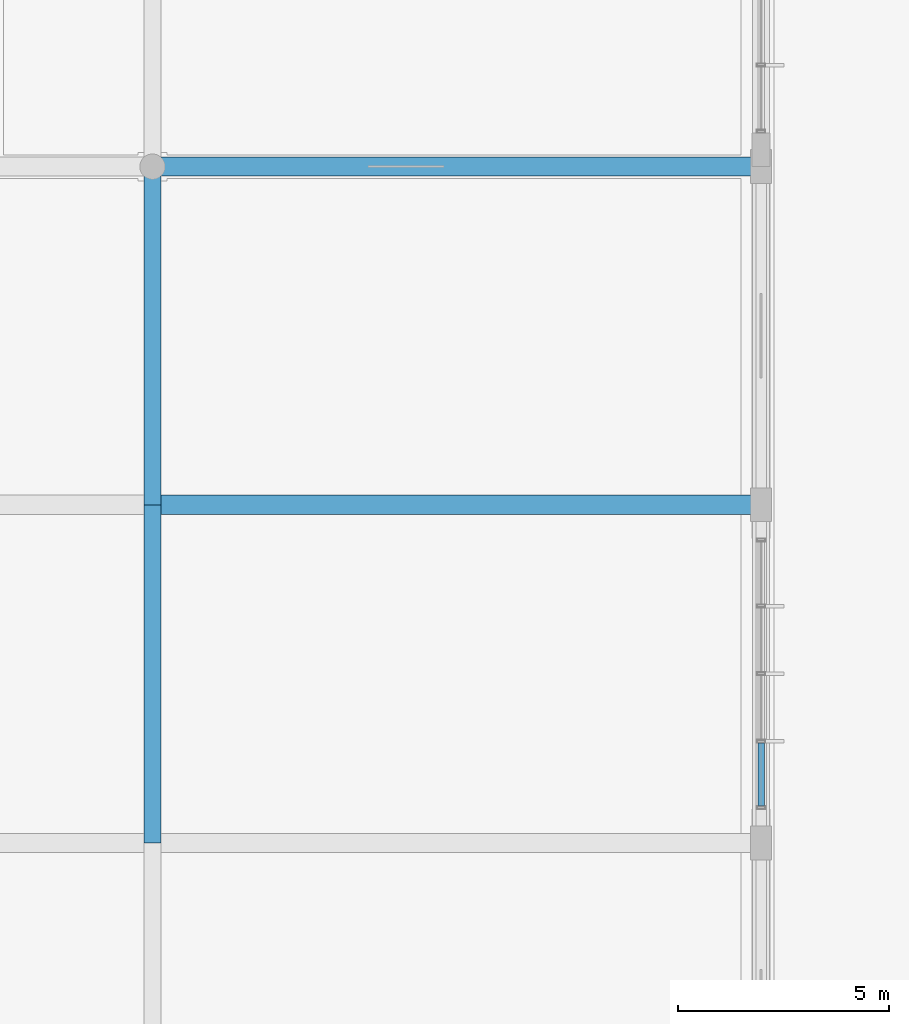
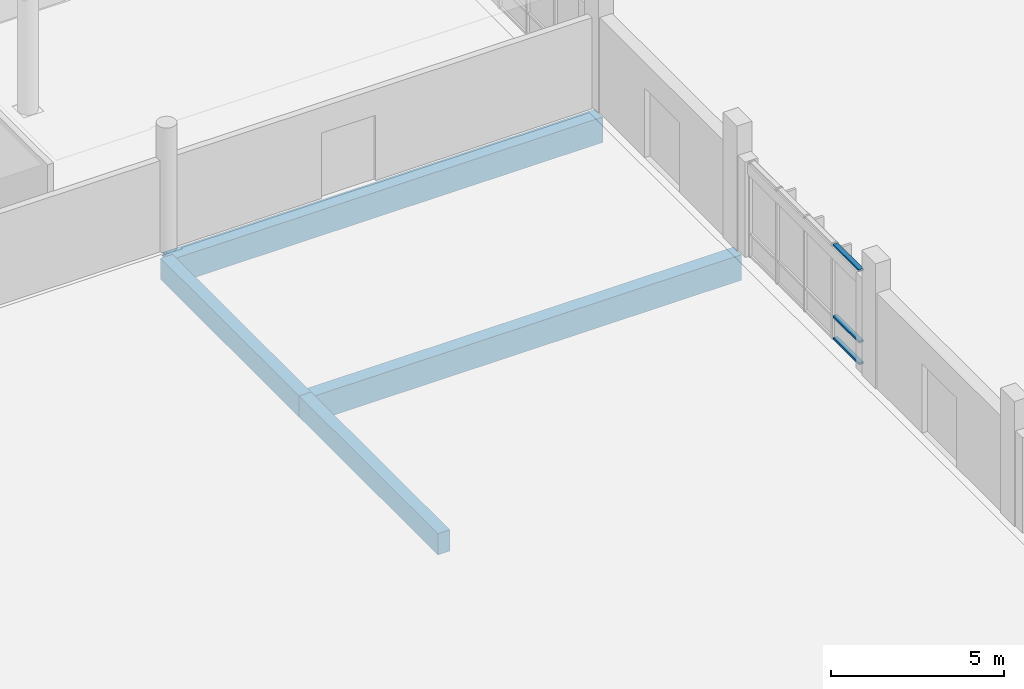
# One storey, part 81 of 233: 4 beams, 3 members, 1 element without a shape of its own.
"""IFC4 building model written with IfcOpenShell, lengths in metres."""

from ifc_helpers import new_model, si_unit, direction, frame, origin, origin_2d, place, context, subcontext, project, spatial, rectangle, hollow_rectangle, extrude, material, material_profile, profile_set, type_object, element, aggregate, save


model = new_model("IFC4")

# Units and contexts
model_context = context("Model", 3, precision=1e-05, world=origin(), true_north=direction((0.0, 1.0)))
body_context = subcontext(model_context, "Body", "Model", "MODEL_VIEW")
ifc_project = project(units=[si_unit("LENGTHUNIT", "METRE"), si_unit("AREAUNIT", "SQUARE_METRE"), si_unit("VOLUMEUNIT", "CUBIC_METRE"), si_unit("PLANEANGLEUNIT", "RADIAN"), si_unit("MASSUNIT", "GRAM", prefix="KILO")], contexts=[model_context])

# Site, building, storey
site_placement = place(None, origin())
site = spatial("IfcSite", under=ifc_project, at=site_placement, CompositionType="ELEMENT")
building_placement = place(site_placement, origin())
building = spatial("IfcBuilding", under=site, at=building_placement, Name="Zavelmont Quarter", CompositionType="ELEMENT")
storey_placement = place(building_placement, origin())
storey = spatial("IfcBuildingStorey", under=building, at=storey_placement, Name="L00", CompositionType="ELEMENT", Elevation=0.0)

# Beams
ifc_material_1 = material(Name="Concrete C40/50", Category="concrete")
ifc_material_profile_1 = material_profile(ifc_material_1, rectangle(XDim=0.39990234375, YDim=0.75, at=origin_2d()), Name="RC400X750")
ifc_profile_set_1 = profile_set([ifc_material_profile_1], Name="Concrete C40/50")
beam_type_1 = type_object("IfcBeamType", Name="BM05", PredefinedType="BEAM", material=ifc_profile_set_1)
for number, where, z_axis, x_axis, name in (
    (1, (98.39990234375, 46.0, -0.695068359375), (0.0, 1.0, 0.0), (-1.0, 0.0, 0.0), "L00 beam BM05 15/H to 15/J"),
    (2, (98.39990234375, 54.0, -0.695068359375), (0.0, 1.0, 0.0), (-1.0, 0.0, 0.0), "L00 beam BM05 15/J to 15/K"),
):
    element("IfcBeam", number, at=place(storey_placement, frame(where, z_axis=z_axis, x_axis=x_axis)), inside=storey, type_object=beam_type_1, Name=name, PredefinedType="BEAM", context=body_context, shape_type="SweptSolid", body=[
        extrude(rectangle(XDim=0.39990234375, YDim=0.75, at=origin_2d()), origin(), (0.0, 0.0, 1.0), 8.0),
    ])
ifc_material_profile_2 = material_profile(ifc_material_1, rectangle(XDim=0.449951171875, YDim=0.89990234375, at=origin_2d()), Name="RC450X900")
ifc_profile_set_2 = profile_set([ifc_material_profile_2], Name="Concrete C40/50")
beam_type_2 = type_object("IfcBeamType", Name="BM06", PredefinedType="BEAM", material=ifc_profile_set_2)
for number, where, z_axis, x_axis, name in (
    (3, (98.39990234375, 54.0, -0.77001953125), (1.0, 0.0, 0.0), (0.0, 1.0, 0.0), "L00 beam BM06 15/J to 17/J"),
    (4, (98.39990234375, 62.0, -0.77001953125), (1.0, 0.0, 0.0), (0.0, 1.0, 0.0), "L00 beam BM06 15/K to 17/K"),
):
    element("IfcBeam", number, at=place(storey_placement, frame(where, z_axis=z_axis, x_axis=x_axis)), inside=storey, type_object=beam_type_2, Name=name, PredefinedType="BEAM", context=body_context, shape_type="SweptSolid", body=[
        extrude(rectangle(XDim=0.449951171875, YDim=0.89990234375, at=origin_2d()), origin(), (0.0, 0.0, 1.0), 14.400146484375),
    ])

# Curtain wall, members
ifc_material_2 = material(Name="Thermally broken aluminium and double low-E safety glazing", Category="aluminium")
curtain_wall_type = type_object("IfcCurtainWallType", Name="CW-640X336", PredefinedType="NOTDEFINED", material=ifc_material_2)
curtain_wall_placement = place(storey_placement, origin())
curtain_wall = element("IfcCurtainWall", 5, at=curtain_wall_placement, inside=storey, type_object=curtain_wall_type, Name="L00 unitised curtain wall CW-640X336", PredefinedType="NOTDEFINED")
ifc_material_3 = material(Name="Powder-coated aluminium EN AW-6063-T6", Category="aluminium")
ifc_material_profile_3 = material_profile(ifc_material_3, hollow_rectangle(XDim=0.14990234375, YDim=0.070068359375, WallThickness=0.00439453125, at=origin_2d()), Name="CWT70X150")
ifc_profile_set_3 = profile_set([ifc_material_profile_3], Name="Powder-coated aluminium EN AW-6063-T6")
member_type = type_object("IfcMemberType", Name="CWT02", PredefinedType="NOTDEFINED", material=ifc_profile_set_3)
member_1_placement = place(storey_placement, frame((112.800048828125, 46.8701171875, 0.034912109375), z_axis=(0.0, 1.0, 0.0), x_axis=(-1.0, 0.0, 0.0)))
member_1 = element("IfcMember", 6, at=member_1_placement, type_object=member_type, Name="CW-640X336 transom 1.1", ObjectType="TRANSOM", PredefinedType="USERDEFINED", context=body_context, shape_type="SweptSolid", body=[
    extrude(hollow_rectangle(XDim=0.14990234375, YDim=0.070068359375, WallThickness=0.00439453125, at=origin_2d()), origin(), (0.0, 0.0, 1.0), 1.494873046875),
])
member_2_placement = place(storey_placement, frame((112.800048828125, 46.8701171875, 0.805908203125), z_axis=(0.0, 1.0, 0.0), x_axis=(-1.0, 0.0, 0.0)))
member_2 = element("IfcMember", 7, at=member_2_placement, type_object=member_type, Name="CW-640X336 transom 1.2", ObjectType="TRANSOM", PredefinedType="USERDEFINED", context=body_context, shape_type="SweptSolid", body=[
    extrude(hollow_rectangle(XDim=0.14990234375, YDim=0.070068359375, WallThickness=0.00439453125, at=origin_2d()), origin(), (0.0, 0.0, 1.0), 1.494873046875),
])
member_3_placement = place(storey_placement, frame((112.800048828125, 46.8701171875, 3.324951171875), z_axis=(0.0, 1.0, 0.0), x_axis=(-1.0, 0.0, 0.0)))
member_3 = element("IfcMember", 8, at=member_3_placement, type_object=member_type, Name="CW-640X336 transom 1.3", ObjectType="TRANSOM", PredefinedType="USERDEFINED", context=body_context, shape_type="SweptSolid", body=[
    extrude(hollow_rectangle(XDim=0.14990234375, YDim=0.070068359375, WallThickness=0.00439453125, at=origin_2d()), origin(), (0.0, 0.0, 1.0), 1.494873046875),
])
aggregate(curtain_wall, [member_1, member_2, member_3])

save(model, "model.ifc")
